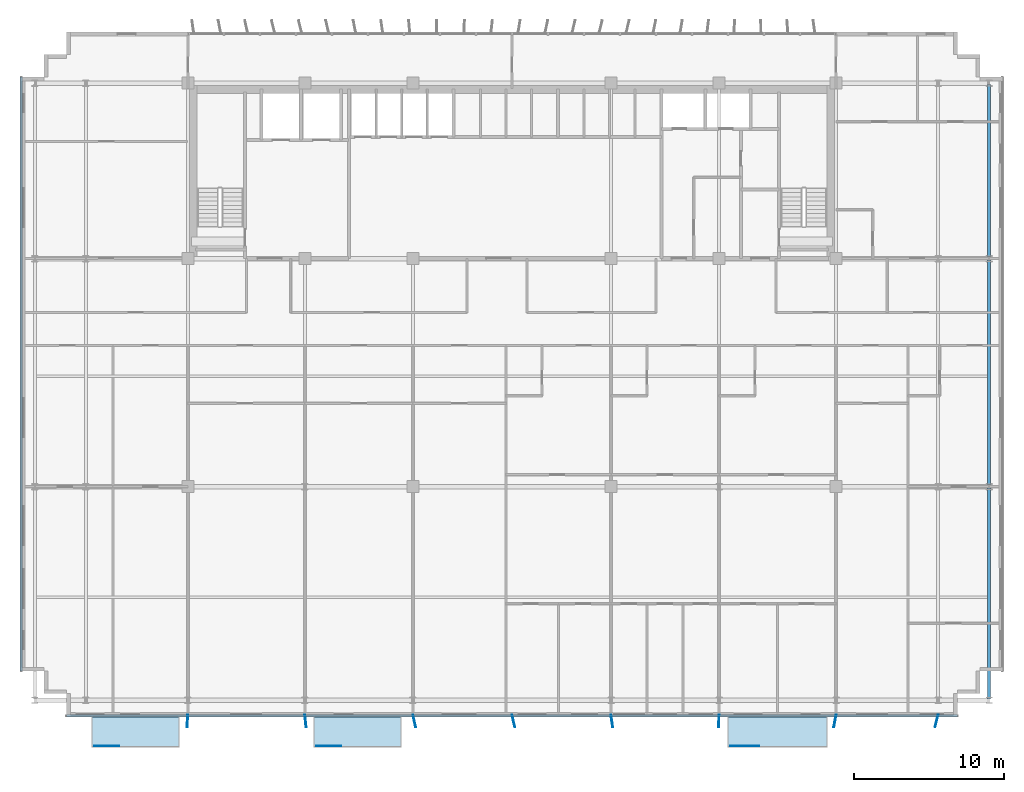
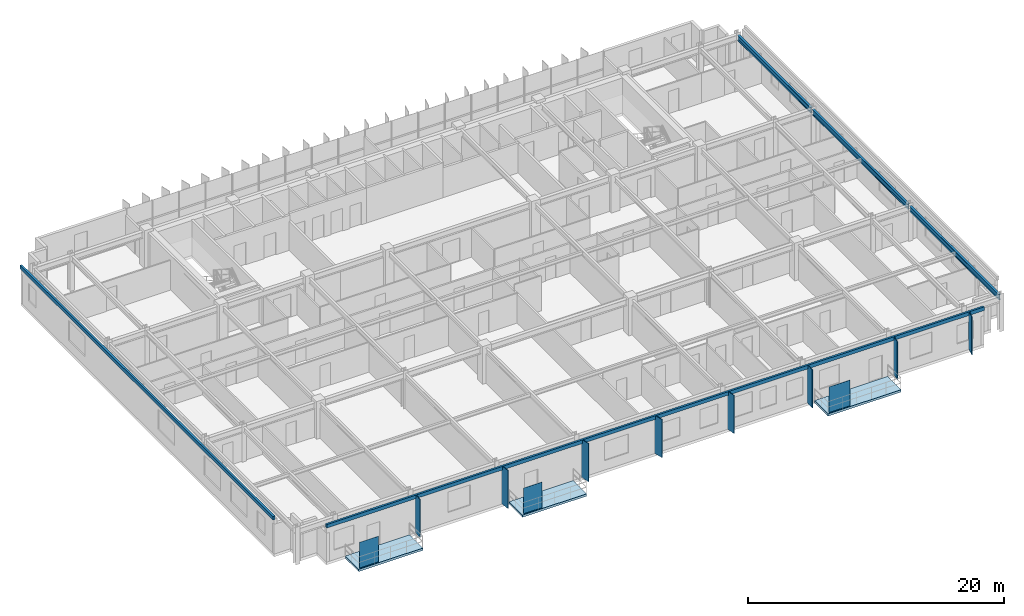
# One storey, part 12 of 22: 13 plates, 3 beams, 3 slabs.
"""IFC4 building model written with IfcOpenShell, lengths in metres."""

from ifc_helpers import new_model, si_unit, direction, frame, origin, origin_2d, place, context, subcontext, project, spatial, polyline, rectangle, i_section, outline, extrude, source, transform, mapped, material, layer, layer_set, material_profile, profile_set, type_object, element, save


model = new_model("IFC4")

# Units and contexts
model_context = context("Model", 3, precision=1e-05, world=origin(), true_north=direction((0.0, 1.0)))
body_context = subcontext(model_context, "Body", "Model", "MODEL_VIEW")
ifc_project = project(units=[si_unit("LENGTHUNIT", "METRE"), si_unit("AREAUNIT", "SQUARE_METRE"), si_unit("VOLUMEUNIT", "CUBIC_METRE"), si_unit("PLANEANGLEUNIT", "RADIAN"), si_unit("MASSUNIT", "GRAM", prefix="KILO")], contexts=[model_context])

# Site, building, storey
site_placement = place(None, origin())
site = spatial("IfcSite", under=ifc_project, at=site_placement, CompositionType="ELEMENT")
building_placement = place(site_placement, origin())
building = spatial("IfcBuilding", under=site, at=building_placement, Name="Trelvane Seafront Commons", CompositionType="ELEMENT")
storey_placement = place(building_placement, frame((0.0, 0.0, 88.89990234375)))
storey = spatial("IfcBuildingStorey", under=building, at=storey_placement, Name="L22", CompositionType="ELEMENT", Elevation=88.89990234375)

# Beams
ifc_material_1 = material(Name="Steel SM355 (S355)", Category="steel")
ifc_material_profile = material_profile(ifc_material_1, i_section(OverallWidth=0.199951171875, OverallDepth=0.5, WebThickness=0.010009765625, FlangeThickness=0.01611328125, at=origin_2d()), Name="H-500x200x10x16")
ifc_profile_set = profile_set([ifc_material_profile], Name="Steel SM355 (S355)")
beam_type = type_object("IfcBeamType", Name="STR-BM-H500", PredefinedType="BEAM", material=ifc_profile_set)
shared_shape_1 = source(origin(), body_context, "Body", "SweptSolid", [
    extrude(i_section(OverallWidth=0.199951171875, OverallDepth=0.5, WebThickness=0.010009765625, FlangeThickness=0.01611328125, at=origin_2d()), origin(), (0.0, 0.0, 1.0), 14.050048828125),
])
beam_1_placement = place(storey_placement, frame((69.0, 4.050048828125, 3.090087890625), z_axis=(0.0, 1.0, 0.0), x_axis=(-1.0, 0.0, 0.0)))
element("IfcBeam", 1, at=beam_1_placement, inside=storey, type_object=beam_type, Name="L22 Primary Girder G-64", PredefinedType="BEAM", context=body_context, shape_type="MappedRepresentation", body=[
    mapped(shared_shape_1, transform((0.0, 0.0, 0.0), x_axis=(1.0, 0.0, 0.0), y_axis=(0.0, 1.0, 0.0), z_axis=(0.0, 0.0, 1.0), scale=1.0)),
])
shared_shape_2 = source(origin(), body_context, "Body", "SweptSolid", [
    extrude(i_section(OverallWidth=0.199951171875, OverallDepth=0.5, WebThickness=0.010009765625, FlangeThickness=0.01611328125, at=origin_2d()), origin(), (0.0, 0.0, 1.0), 15.0),
])
beam_2_placement = place(storey_placement, frame((69.0, 18.300048828125, 3.090087890625), z_axis=(0.0, 1.0, 0.0), x_axis=(-1.0, 0.0, 0.0)))
element("IfcBeam", 2, at=beam_2_placement, inside=storey, type_object=beam_type, Name="L22 Primary Girder G-65", PredefinedType="BEAM", context=body_context, shape_type="MappedRepresentation", body=[
    mapped(shared_shape_2, transform((0.0, 0.0, 0.0), x_axis=(1.0, 0.0, 0.0), y_axis=(0.0, 1.0, 0.0), z_axis=(0.0, 0.0, 1.0), scale=1.0)),
])
shared_shape_3 = source(origin(), body_context, "Body", "SweptSolid", [
    extrude(i_section(OverallWidth=0.199951171875, OverallDepth=0.5, WebThickness=0.010009765625, FlangeThickness=0.01611328125, at=origin_2d()), origin(), (0.0, 0.0, 1.0), 11.5),
])
beam_3_placement = place(storey_placement, frame((69.0, 33.5, 3.090087890625), z_axis=(0.0, 1.0, 0.0), x_axis=(-1.0, 0.0, 0.0)))
element("IfcBeam", 3, at=beam_3_placement, inside=storey, type_object=beam_type, Name="L22 Primary Girder G-66", PredefinedType="BEAM", context=body_context, shape_type="MappedRepresentation", body=[
    mapped(shared_shape_3, transform((0.0, 0.0, 0.0), x_axis=(1.0, 0.0, 0.0), y_axis=(0.0, 1.0, 0.0), z_axis=(0.0, 0.0, 1.0), scale=1.0)),
])

# Slabs
ifc_material_2 = material(Name="Concrete C40/50", Category="concrete")
ifc_layer_1 = layer(ifc_material_2, 0.219970703125, Name="ARCH-BALC-220")
ifc_layer_set_1 = layer_set([ifc_layer_1], Name="Concrete C40/50")
slab_type = type_object("IfcSlabType", Name="ARCH-BALC-220", PredefinedType="FLOOR", material=ifc_layer_set_1)
slab_1_placement = place(storey_placement, frame((0.0, 0.0, -0.219970703125)))
element("IfcSlab", 4, at=slab_1_placement, inside=storey, type_object=slab_type, Name="L22 Cantilevered Tree Balcony Loggia 1", PredefinedType="FLOOR", context=body_context, shape_type="SweptSolid", body=[
    extrude(outline(polyline([(9.199951171875, 0.800048828125), (15.0, 0.800048828125), (15.0, 2.89990234375), (9.199951171875, 2.89990234375), (9.199951171875, 0.800048828125)])), origin(), (0.0, 0.0, 1.0), 0.219970703125),
])
slab_2_placement = place(storey_placement, frame((0.0, 0.0, -0.219970703125)))
element("IfcSlab", 5, at=slab_2_placement, inside=storey, type_object=slab_type, Name="L22 Cantilevered Tree Balcony Loggia 2", PredefinedType="FLOOR", context=body_context, shape_type="SweptSolid", body=[
    extrude(outline(polyline([(24.0, 0.800048828125), (29.800048828125, 0.800048828125), (29.800048828125, 2.89990234375), (24.0, 2.89990234375), (24.0, 0.800048828125)])), origin(), (0.0, 0.0, 1.0), 0.219970703125),
])
slab_3_placement = place(storey_placement, frame((0.0, 0.0, -0.219970703125)))
element("IfcSlab", 6, at=slab_3_placement, inside=storey, type_object=slab_type, Name="L22 Cantilevered Tree Balcony Loggia 3", PredefinedType="FLOOR", context=body_context, shape_type="SweptSolid", body=[
    extrude(outline(polyline([(51.60009765625, 0.800048828125), (58.199951171875, 0.800048828125), (58.199951171875, 2.89990234375), (51.60009765625, 2.89990234375), (51.60009765625, 0.800048828125)])), origin(), (0.0, 0.0, 1.0), 0.219970703125),
])

# Plates
ifc_material_3 = material(Name="Perforated anodised aluminium screen", Category="aluminium")
ifc_layer_2 = layer(ifc_material_3, 0.01611328125, Name="ARCH-PLATE-SCREEN")
ifc_layer_set_2 = layer_set([ifc_layer_2], Name="Perforated anodised aluminium screen")
plate_type_1 = type_object("IfcPlateType", Name="ARCH-PLATE-SCREEN", PredefinedType="USERDEFINED", material=ifc_layer_set_2)
shared_shape_4 = source(origin(), body_context, "Body", "SweptSolid", [
    extrude(rectangle(XDim=1.9140625, YDim=0.01611328125, at=origin_2d()), origin(), (0.0, 0.0, 1.0), 2.449951171875),
])
plate_1_placement = place(storey_placement, frame((52.70703125, 0.919921875, 0.0), z_axis=(0.0, 0.0, 1.0), x_axis=(1.0, 0.0, 0.0)))
element("IfcPlate", 7, at=plate_1_placement, inside=storey, type_object=plate_type_1, Name="SCR-L22-00082", ObjectType="SCREEN", PredefinedType="USERDEFINED", context=body_context, shape_type="MappedRepresentation", body=[
    mapped(shared_shape_4, transform((0.0, 0.0, 0.0), x_axis=(1.0, 0.0, 0.0), y_axis=(0.0, 1.0, 0.0), z_axis=(0.0, 0.0, 1.0), scale=1.0)),
])
shared_shape_5 = source(origin(), body_context, "Body", "SweptSolid", [
    extrude(rectangle(XDim=1.681884765625, YDim=0.01611328125, at=origin_2d()), origin(), (0.0, 0.0, 1.0), 2.449951171875),
])
for number, where, z_axis, x_axis, name in (
    (8, (10.19091796875, 0.919921875, 0.0), (0.0, 0.0, 1.0), (1.0, 0.0, 0.0), "SCR-L22-00080"),
    (9, (24.990966796875, 0.919921875, 0.0), (0.0, 0.0, 1.0), (1.0, 0.0, 0.0), "SCR-L22-00081"),
):
    element("IfcPlate", number, at=place(storey_placement, frame(where, z_axis=z_axis, x_axis=x_axis)), inside=storey, type_object=plate_type_1, Name=name, ObjectType="SCREEN", PredefinedType="USERDEFINED", context=body_context, shape_type="MappedRepresentation", body=[
        mapped(shared_shape_5, transform((0.0, 0.0, 0.0), x_axis=(1.0, 0.0, 0.0), y_axis=(0.0, 1.0, 0.0), z_axis=(0.0, 0.0, 1.0), scale=1.0)),
    ])
ifc_material_4 = material(Name="Anodised pale-silver aluminium", Category="aluminium")
ifc_layer_3 = layer(ifc_material_4, 0.06005859375, Name="ARCH-PLATE-FIN900")
ifc_layer_set_3 = layer_set([ifc_layer_3], Name="Anodised pale-silver aluminium")
plate_type_2 = type_object("IfcPlateType", Name="ARCH-PLATE-FIN900", PredefinedType="USERDEFINED", material=ifc_layer_set_3)
shared_shape_6 = source(origin(), body_context, "Body", "SweptSolid", [
    extrude(rectangle(XDim=0.85009765625, YDim=0.06005859375, at=origin_2d()), origin(), (0.0, 0.0, 1.0), 3.639892578125),
])
for number, where, z_axis, x_axis, name in (
    (10, (15.572021484375, 2.575927734375, -0.02001953125), (0.0, 0.0, 1.0), (-0.065645208642, -0.997843027025, 0.0), "FIN-S-L22-00543"),
    (11, (23.443115234375, 2.5771484375, -0.02001953125), (0.0, 0.0, 1.0), (0.101181316782, -0.994868001865, 0.0), "FIN-S-L22-00544"),
    (12, (30.693115234375, 2.585205078125, -0.02001953125), (0.0, 0.0, 1.0), (0.218935202142, -0.975739400282, 0.0), "FIN-S-L22-00545"),
    (13, (37.299560546875, 2.5869140625, -0.02001953125), (0.0, 0.0, 1.0), (0.234112271415, -0.972209568135, 0.0), "FIN-S-L22-00546"),
    (14, (43.859619140625, 2.5791015625, -0.02001953125), (0.0, 0.0, 1.0), (0.140350004525, -0.990101952442, 0.0), "FIN-S-L22-00547"),
    (15, (50.9912109375, 2.5751953125, -0.02001953125), (0.0, 0.0, 1.0), (-0.020940674937, -0.999780720025, 0.0), "FIN-S-L22-00548"),
    (16, (58.726806640625, 2.581298828125, -0.02001953125), (0.0, 0.0, 1.0), (-0.172006470055, -0.985095819837, 0.0), "FIN-S-L22-00549"),
    (17, (65.49755859375, 2.587646484375, -0.02001953125), (0.0, 0.0, 1.0), (-0.241068285414, -0.970508156466, 0.0), "FIN-S-L22-00550"),
):
    element("IfcPlate", number, at=place(storey_placement, frame(where, z_axis=z_axis, x_axis=x_axis)), inside=storey, type_object=plate_type_2, Name=name, ObjectType="FIN", PredefinedType="USERDEFINED", context=body_context, shape_type="MappedRepresentation", body=[
        mapped(shared_shape_6, transform((0.0, 0.0, 0.0), x_axis=(1.0, 0.0, 0.0), y_axis=(0.0, 1.0, 0.0), z_axis=(0.0, 0.0, 1.0), scale=1.0)),
    ])
ifc_layer_4 = layer(ifc_material_4, 0.179931640625, Name="ARCH-PLATE-AERO")
ifc_layer_set_4 = layer_set([ifc_layer_4], Name="Anodised pale-silver aluminium")
plate_type_3 = type_object("IfcPlateType", Name="ARCH-PLATE-AERO", PredefinedType="SHEET", material=ifc_layer_set_4)
shared_shape_7 = source(origin(), body_context, "Body", "SweptSolid", [
    extrude(rectangle(XDim=39.60009765625, YDim=0.179931640625, at=origin_2d()), origin(), (0.0, 0.0, 1.0), 0.340087890625),
])
plate_2_placement = place(storey_placement, frame((4.5, 25.699951171875, 3.2802734375), z_axis=(0.0, 0.0, 1.0), x_axis=(0.0, 1.0, 0.0)))
element("IfcPlate", 18, at=plate_2_placement, inside=storey, type_object=plate_type_3, Name="AER-L22-00078", PredefinedType="SHEET", context=body_context, shape_type="MappedRepresentation", body=[
    mapped(shared_shape_7, transform((0.0, 0.0, 0.0), x_axis=(1.0, 0.0, 0.0), y_axis=(0.0, 1.0, 0.0), z_axis=(0.0, 0.0, 1.0), scale=1.0)),
])
shared_shape_8 = source(origin(), body_context, "Body", "SweptSolid", [
    extrude(rectangle(XDim=59.39990234375, YDim=0.179931640625, at=origin_2d()), origin(), (0.0, 0.0, 1.0), 0.340087890625),
])
plate_3_placement = place(storey_placement, frame((37.199951171875, 2.93994140625, 3.2802734375), z_axis=(0.0, 0.0, 1.0), x_axis=(-1.0, 0.0, 0.0)))
element("IfcPlate", 19, at=plate_3_placement, inside=storey, type_object=plate_type_3, Name="AER-S-L22-00083", PredefinedType="SHEET", context=body_context, shape_type="MappedRepresentation", body=[
    mapped(shared_shape_8, transform((0.0, 0.0, 0.0), x_axis=(1.0, 0.0, 0.0), y_axis=(0.0, 1.0, 0.0), z_axis=(0.0, 0.0, 1.0), scale=1.0)),
])

save(model, "model.ifc")
